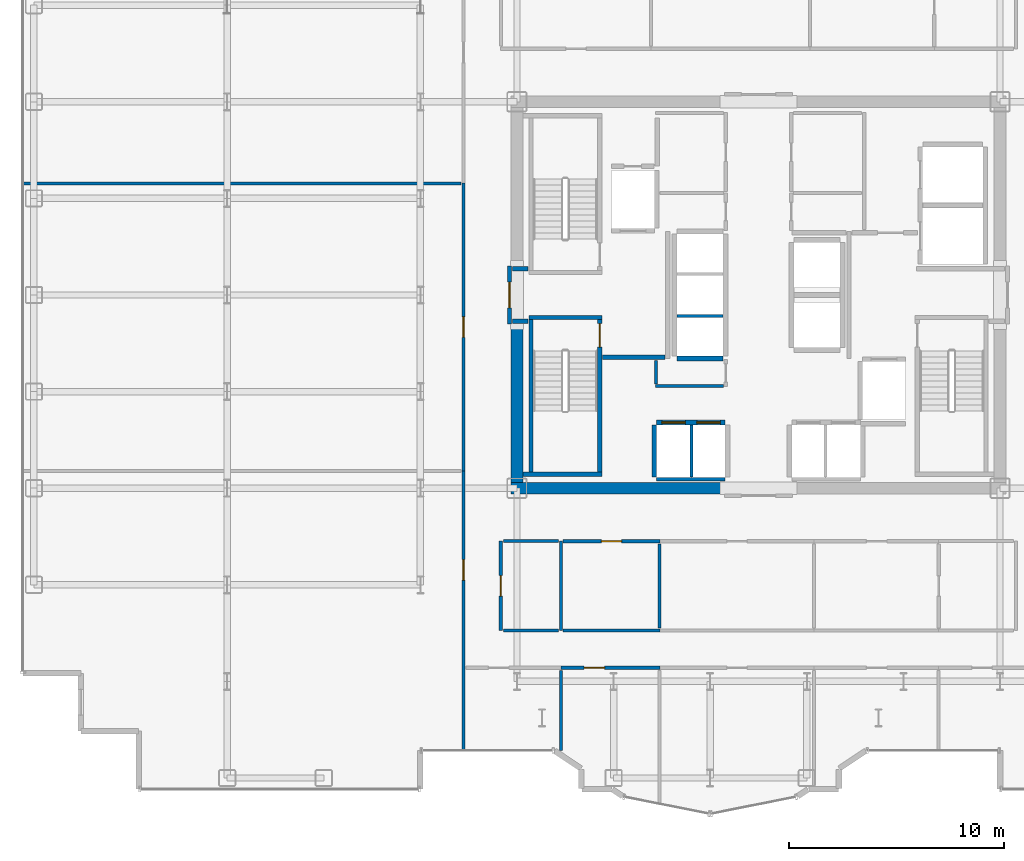
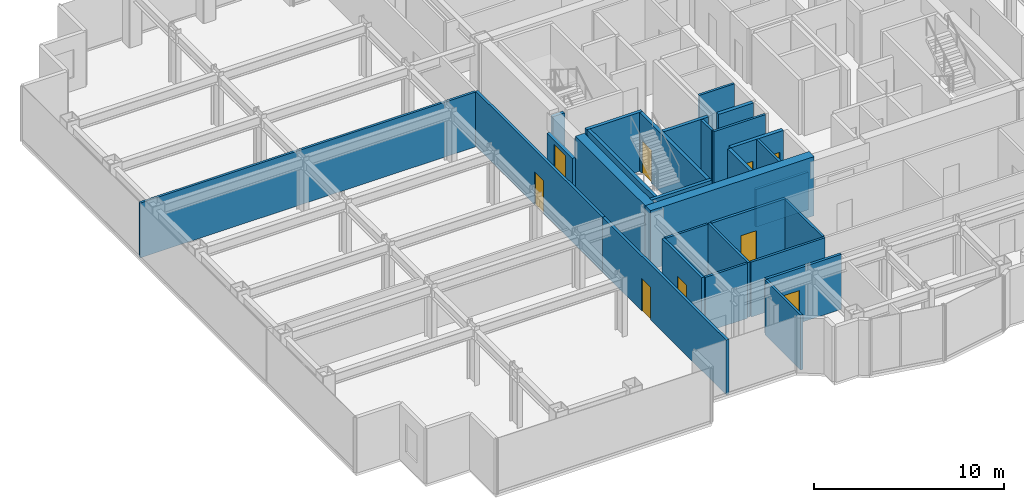
# One storey, part 17 of 23: 30 walls, 9 doors, 9 openings.
"""IFC4 building model written with IfcOpenShell, lengths in metres."""

import ifcopenshell
import ifcopenshell.guid

model = None  # the IFC model being written
_history = None  # IfcOwnerHistory: only IFC2X3 demands one
_inside = {}  # id of a spatial element -> (the spatial element, [elements in it])
_under = {}  # id of a project, library or spatial element -> (it, [spatial elements below it])
_declared = {}  # id of a project -> (the project, [libraries it declares])
_typed = {}  # id of a type object -> (the type object, [elements of that type])
_made_of = {}  # id of a material, layer set ... -> (it, [elements and type objects made of it])


def new_model(schema):
    """Start an empty IFC model of exactly this schema.

    Asked for "IFC4X3", IfcOpenShell would pick the latest addendum, in which some entities
    have other attributes; the version numbers below select the first issue.
    IFC2X3 requires an IfcOwnerHistory on every rooted entity: one is made here for all.
    """
    global model, _history
    if schema == "IFC4X3":
        model = ifcopenshell.file(schema_version=(4, 3, 0, 0))
    else:
        model = ifcopenshell.file(schema=schema)
    _inside.clear()
    _under.clear()
    _declared.clear()
    _typed.clear()
    _made_of.clear()
    _history = None
    if model.schema == "IFC2X3":
        org = make("IfcOrganization", Name="unknown")
        user = make(
            "IfcPersonAndOrganization",
            ThePerson=make("IfcPerson", FamilyName="unknown"),
            TheOrganization=org,
        )
        app = make(
            "IfcApplication",
            ApplicationDeveloper=org,
            Version="unknown",
            ApplicationFullName="unknown",
            ApplicationIdentifier="unknown",
        )
        _history = make(
            "IfcOwnerHistory",
            OwningUser=user,
            OwningApplication=app,
            ChangeAction="ADDED",
            CreationDate=0,
        )
    return model


def make(cls, **values):
    """One entity of the class cls with the attributes given. An attribute that is None is left unset."""
    return model.create_entity(
        cls, **{name: value for name, value in values.items() if value is not None}
    )


def rooted(cls, **values):
    """An entity with a GlobalId (a new one), such as an element, a storey or a relation."""
    return make(cls, GlobalId=ifcopenshell.guid.new(), OwnerHistory=_history, **values)


def si_unit(unit_type, name, prefix=None):
    """IfcSIUnit, for example si_unit("LENGTHUNIT", "METRE", prefix="MILLI")."""
    return make("IfcSIUnit", UnitType=unit_type, Prefix=prefix, Name=name)


def assignment(units):
    """IfcUnitAssignment: the units of a project."""
    return None if units is None else make("IfcUnitAssignment", Units=units)


def point(xyz):
    """IfcCartesianPoint."""
    return None if xyz is None else make("IfcCartesianPoint", Coordinates=xyz)


def direction(xyz):
    """IfcDirection."""
    return None if xyz is None else make("IfcDirection", DirectionRatios=xyz)


def frame(location, z_axis=None, x_axis=None):
    """IfcAxis2Placement3D, a coordinate frame: its origin and axes. An axis left out is left unset."""
    return make(
        "IfcAxis2Placement3D",
        Location=point(location),
        Axis=direction(z_axis),
        RefDirection=direction(x_axis),
    )


def frame_2d(location, x_axis=None):
    """IfcAxis2Placement2D, a coordinate frame in the plane: its origin and x axis."""
    return make(
        "IfcAxis2Placement2D", Location=point(location), RefDirection=direction(x_axis)
    )


def origin():
    """The frame at (0, 0, 0) with its axes left unset."""
    return frame((0.0, 0.0, 0.0))


def place(relative_to, where):
    """IfcLocalPlacement: puts the frame where relative to a parent placement (None: the world)."""
    return make(
        "IfcLocalPlacement", PlacementRelTo=relative_to, RelativePlacement=where
    )


def context(
    kind, dimensions, precision=None, world=None, true_north=None, identifier=None
):
    """IfcGeometricRepresentationContext, for example the 3D "Model" context."""
    return make(
        "IfcGeometricRepresentationContext",
        ContextIdentifier=identifier,
        ContextType=kind,
        CoordinateSpaceDimension=dimensions,
        Precision=precision,
        WorldCoordinateSystem=world,
        TrueNorth=true_north,
    )


def subcontext(parent, identifier, kind, view, scale=None):
    """IfcGeometricRepresentationSubContext, for example "Body" below "Model"."""
    return make(
        "IfcGeometricRepresentationSubContext",
        ContextIdentifier=identifier,
        ContextType=kind,
        ParentContext=parent,
        TargetScale=scale,
        TargetView=view,
    )


def project(units=None, contexts=None):
    """IfcProject with its units and contexts."""
    return rooted(
        "IfcProject",
        Name="project",
        RepresentationContexts=contexts,
        UnitsInContext=assignment(units),
    )


def spatial(cls, under=None, at=None, **own):
    """A site, building, storey or space (cls), placed at a placement, below another one or the project."""
    s = rooted(cls, ObjectPlacement=at, **own)
    if under is not None:
        _under.setdefault(under.id(), (under, []))[1].append(s)
    return s


def profile(cls, at=None, kind="AREA", **sizes):
    """A parametric profile (cls). Its sizes go by their IFC names, for example OverallWidth=200.0."""
    return make(cls, ProfileType=kind, Position=at, **sizes)


def rectangle(**sizes):
    """IfcRectangleProfileDef."""
    return profile("IfcRectangleProfileDef", **sizes)


def extrude(swept, where, along, depth):
    """IfcExtrudedAreaSolid: the profile swept, set in the frame where, extruded along a direction by depth."""
    return make(
        "IfcExtrudedAreaSolid",
        SweptArea=swept,
        Position=where,
        ExtrudedDirection=direction(along),
        Depth=depth,
    )


def shape(context_of_items, identifier, shape_type, items):
    """IfcShapeRepresentation: the items that make up one representation, for example the "Body"."""
    return make(
        "IfcShapeRepresentation",
        ContextOfItems=context_of_items,
        RepresentationIdentifier=identifier,
        RepresentationType=shape_type,
        Items=items,
    )


def source(mapping_origin, context_of_items, identifier, shape_type, items):
    """IfcRepresentationMap: a shape defined once, which mapped items show again and again."""
    return make(
        "IfcRepresentationMap",
        MappingOrigin=mapping_origin,
        MappedRepresentation=shape(context_of_items, identifier, shape_type, items),
    )


def transform(
    local_origin,
    x_axis=None,
    y_axis=None,
    z_axis=None,
    scale=None,
    scale2=None,
    scale3=None,
    uniform=True,
):
    """IfcCartesianTransformationOperator3D, or its non-uniform kind. x_axis, y_axis, z_axis: its Axis1, 2, 3."""
    if uniform:
        return make(
            "IfcCartesianTransformationOperator3D",
            Axis1=direction(x_axis),
            Axis2=direction(y_axis),
            LocalOrigin=point(local_origin),
            Scale=scale,
            Axis3=direction(z_axis),
        )
    return make(
        "IfcCartesianTransformationOperator3DnonUniform",
        Axis1=direction(x_axis),
        Axis2=direction(y_axis),
        LocalOrigin=point(local_origin),
        Scale=scale,
        Axis3=direction(z_axis),
        Scale2=scale2,
        Scale3=scale3,
    )


def mapped(mapping_source, mapping_target):
    """IfcMappedItem: shows the shape of a source again, moved by a transform."""
    return make(
        "IfcMappedItem", MappingSource=mapping_source, MappingTarget=mapping_target
    )


def material(Name=None, Category=None):
    """IfcMaterial."""
    return make("IfcMaterial", Name=Name, Category=Category)


def layer(
    of_material, thickness, ventilated=None, Name=None, Category=None, Priority=None
):
    """IfcMaterialLayer: one layer of a wall or slab, of a material (None: an air gap)."""
    return make(
        "IfcMaterialLayer",
        Material=of_material,
        LayerThickness=thickness,
        IsVentilated=ventilated,
        Name=Name,
        Category=Category,
        Priority=Priority,
    )


def layer_set(layers, Name=None):
    """IfcMaterialLayerSet."""
    return make("IfcMaterialLayerSet", MaterialLayers=layers, LayerSetName=Name)


def made_of(thing, what):
    """Note that an element or type object is made of a material, layer set ...; save() writes the relation."""
    if what is not None:
        _made_of.setdefault(what.id(), (what, []))[1].append(thing)
    return thing


def type_object(cls, material=None, **own):
    """A type object (cls), such as IfcWallType, which elements share."""
    return made_of(rooted(cls, **own), material)


def element(
    cls,
    number,
    at=None,
    inside=None,
    cuts=None,
    type_object=None,
    material=None,
    context=None,
    identifier="Body",
    shape_type=None,
    held_by="IfcProductDefinitionShape",
    body=None,
    shapes=None,
    **own,
):
    """One element of the class cls, such as IfcWall. Its Tag is "e" and its number.

    at: its placement. inside: the storey or other place that contains it. cuts: it is an
    opening in that element (IfcRelVoidsElement). A single representation is given by context,
    identifier, shape_type and body (its items); several are given by shapes. held_by: the class
    of the entity that holds the representations. save() writes the other relations.
    """
    e = rooted(cls, Tag="e%d" % number, ObjectPlacement=at, **own)
    if body is not None:
        shapes = [shape(context, identifier, shape_type, body)]
    if shapes is not None:
        e.Representation = make(held_by, Representations=shapes)
    if inside is not None:
        _inside.setdefault(inside.id(), (inside, []))[1].append(e)
    if cuts is not None:
        rooted(
            "IfcRelVoidsElement", RelatingBuildingElement=cuts, RelatedOpeningElement=e
        )
    if type_object is not None:
        _typed.setdefault(type_object.id(), (type_object, []))[1].append(e)
    return made_of(e, material)


def fill(opening, filler):
    """IfcRelFillsElement: the door or window that sits in an opening."""
    return rooted(
        "IfcRelFillsElement",
        RelatingOpeningElement=opening,
        RelatedBuildingElement=filler,
    )


def aggregate(whole, parts):
    """IfcRelAggregates: a whole, such as a stair, and the parts it consists of."""
    return rooted("IfcRelAggregates", RelatingObject=whole, RelatedObjects=parts)


def save(model, path):
    """Write the relations noted so far, then the file.

    IfcRelAggregates (storeys below a building ...), IfcRelContainedInSpatialStructure (elements
    in a storey), IfcRelDefinesByType, IfcRelAssociatesMaterial and IfcRelDeclares: one each for
    every whole, place, type object, material and project.
    """
    for whole, parts in _under.values():
        aggregate(whole, parts)
    for where, things in _inside.values():
        rooted(
            "IfcRelContainedInSpatialStructure",
            RelatedElements=things,
            RelatingStructure=where,
        )
    for kind, things in _typed.values():
        rooted("IfcRelDefinesByType", RelatedObjects=things, RelatingType=kind)
    for what, things in _made_of.values():
        rooted("IfcRelAssociatesMaterial", RelatedObjects=things, RelatingMaterial=what)
    for by, libraries in _declared.values():
        rooted("IfcRelDeclares", RelatingContext=by, RelatedDefinitions=libraries)
    model.write(path)


model = new_model("IFC4")

# Units and contexts
model_context = context("Model", 3, precision=1e-05, world=origin(), true_north=direction((0.0, 1.0)))
body_context = subcontext(model_context, "Body", "Model", "MODEL_VIEW")
ifc_project = project(units=[si_unit("LENGTHUNIT", "METRE"), si_unit("AREAUNIT", "SQUARE_METRE"), si_unit("VOLUMEUNIT", "CUBIC_METRE"), si_unit("PLANEANGLEUNIT", "RADIAN"), si_unit("MASSUNIT", "GRAM", prefix="KILO")], contexts=[model_context])

# Site, building, storey
site_placement = place(None, origin())
site = spatial("IfcSite", under=ifc_project, at=site_placement, CompositionType="ELEMENT")
building_placement = place(site_placement, origin())
building = spatial("IfcBuilding", under=site, at=building_placement, Name="Nefas-Gora Pilgrimage Tower", CompositionType="ELEMENT")
storey_placement = place(building_placement, frame((0.0, 0.0, 152.60009765625)))
storey = spatial("IfcBuildingStorey", under=building, at=storey_placement, Name="L37", CompositionType="ELEMENT", Elevation=152.60009765625)

# Walls
ifc_material_1 = material(Name="Concrete C60/75", Category="concrete")
ifc_layer_1 = layer(ifc_material_1, 0.550048828125)
ifc_layer_set_1 = layer_set([ifc_layer_1], Name="Concrete C60/75")
wall_type_1 = type_object("IfcWallType", Name="SW-CORE-550", PredefinedType="SHEAR", material=ifc_layer_set_1)
shared_shape_1 = source(origin(), body_context, "Body", "SweptSolid", [
    extrude(rectangle(XDim=9.974853515625, YDim=0.550048828125, at=frame_2d((4.9873046875, 0.0))), origin(), (0.0, 0.0, 1.0), 3.7998046875),
])
wall_1_placement = place(storey_placement, frame((-11.52490234375, -9.0, 0.0), z_axis=(0.0, 0.0, 1.0), x_axis=(1.0, 0.0, 0.0)))
element("IfcWall", 1, at=wall_1_placement, inside=storey, type_object=wall_type_1, Name="L37 Core Shear Wall S-West", PredefinedType="SHEAR", context=body_context, shape_type="MappedRepresentation", body=[
    mapped(shared_shape_1, transform((0.0, 0.0, 0.0), x_axis=(1.0, 0.0, 0.0), y_axis=(0.0, 1.0, 0.0), z_axis=(0.0, 0.0, 1.0), scale=1.0)),
])
shared_shape_2 = source(origin(), body_context, "Body", "SweptSolid", [
    extrude(rectangle(XDim=7.375, YDim=0.550048828125, at=frame_2d((3.6875, 0.0))), origin(), (0.0, 0.0, 1.0), 3.7998046875),
])
wall_2_placement = place(storey_placement, frame((-11.25, -8.72509765625, 0.0), z_axis=(0.0, 0.0, 1.0), x_axis=(0.0, 1.0, 0.0)))
element("IfcWall", 2, at=wall_2_placement, inside=storey, type_object=wall_type_1, Name="L37 Core Shear Wall W-South", PredefinedType="SHEAR", context=body_context, shape_type="MappedRepresentation", body=[
    mapped(shared_shape_2, transform((0.0, 0.0, 0.0), x_axis=(1.0, 0.0, 0.0), y_axis=(0.0, 1.0, 0.0), z_axis=(0.0, 0.0, 1.0), scale=1.0)),
])
ifc_material_2 = material(Name="Concrete C45/55", Category="concrete")
ifc_layer_2 = layer(ifc_material_2, 0.199951171875)
ifc_layer_set_2 = layer_set([ifc_layer_2], Name="Concrete C45/55")
wall_type_2 = type_object("IfcWallType", Name="IW-STAIR-200", PredefinedType="SOLIDWALL", material=ifc_layer_set_2)
shared_shape_3 = source(origin(), body_context, "Body", "SweptSolid", [
    extrude(rectangle(XDim=3.39990234375, YDim=0.199951171875, at=frame_2d((1.699951171875, 0.0))), origin(), (0.0, 0.0, 1.0), 3.7998046875),
])
wall_3_placement = place(storey_placement, frame((-10.699951171875, -1.050048828125, 0.0), z_axis=(0.0, 0.0, 1.0), x_axis=(1.0, 0.0, 0.0)))
element("IfcWall", 3, at=wall_3_placement, inside=storey, type_object=wall_type_2, Name="L37 Stairwell Shear Wall ST-03-near", PredefinedType="SOLIDWALL", context=body_context, shape_type="MappedRepresentation", body=[
    mapped(shared_shape_3, transform((0.0, 0.0, 0.0), x_axis=(1.0, 0.0, 0.0), y_axis=(0.0, 1.0, 0.0), z_axis=(0.0, 0.0, 1.0), scale=1.0)),
])
shared_shape_4 = source(origin(), body_context, "Body", "SweptSolid", [
    extrude(rectangle(XDim=7.10009765625, YDim=0.199951171875, at=frame_2d((3.550048828125, 0.0))), origin(), (0.0, 0.0, 1.0), 3.7998046875),
])
wall_4_placement = place(storey_placement, frame((-10.60009765625, -1.14990234375, 0.0), z_axis=(0.0, 0.0, 1.0), x_axis=(0.0, -1.0, 0.0)))
element("IfcWall", 4, at=wall_4_placement, inside=storey, type_object=wall_type_2, Name="L37 Stairwell Shear Wall ST-03-left", PredefinedType="SOLIDWALL", context=body_context, shape_type="MappedRepresentation", body=[
    mapped(shared_shape_4, transform((0.0, 0.0, 0.0), x_axis=(1.0, 0.0, 0.0), y_axis=(0.0, 1.0, 0.0), z_axis=(0.0, 0.0, 1.0), scale=1.0)),
])

# Wall, opening, door
wall_5_placement = place(storey_placement, frame((-7.39990234375, -1.14990234375, 0.0), z_axis=(0.0, 0.0, 1.0), x_axis=(0.0, -1.0, 0.0)))
wall_5 = element("IfcWall", 5, at=wall_5_placement, inside=storey, type_object=wall_type_2, Name="L37 Stairwell Shear Wall ST-03-right", PredefinedType="SOLIDWALL", context=body_context, shape_type="MappedRepresentation", body=[
    mapped(shared_shape_4, transform((0.0, 0.0, 0.0), x_axis=(1.0, 0.0, 0.0), y_axis=(0.0, 1.0, 0.0), z_axis=(0.0, 0.0, 1.0), scale=1.0)),
])
opening_1_placement = place(wall_5_placement, frame((0.179931640625, 0.0, 0.0)))
opening_1 = element("IfcOpeningElement", 6, at=opening_1_placement, cuts=wall_5, Name="Opening ID-ST1", PredefinedType="OPENING", context=body_context, shape_type="SweptSolid", body=[
    extrude(rectangle(XDim=1.10009765625, YDim=2.14990234375, at=frame_2d((0.550048828125, 1.074951171875))), frame((0.0, 0.10986328125, 0.0), z_axis=(0.0, -1.0, 0.0), x_axis=(1.0, 0.0, 0.0)), (0.0, 0.0, 1.0), 0.219970703125),
])
ifc_material_3 = material(Name="Painted galvanised steel fire stair door", Category="steel")
door_type_1 = type_object("IfcDoorType", Name="DR-INT-STAIR-1100", OperationType="NOTDEFINED", PredefinedType="DOOR", material=ifc_material_3)
shared_shape_5 = source(origin(), body_context, "Body", "SweptSolid", [
    extrude(rectangle(XDim=1.10009765625, YDim=2.14990234375, at=frame_2d((0.550048828125, 1.074951171875))), frame((0.0, 0.02490234375, 0.0), z_axis=(0.0, -1.0, 0.0), x_axis=(1.0, 0.0, 0.0)), (0.0, 0.0, 1.0), 0.050048828125),
])
door_1_placement = place(opening_1_placement, origin())
door_1 = element("IfcDoor", 7, at=door_1_placement, inside=storey, type_object=door_type_1, Name="L37 Protected Exit Stair Door ST-03", OperationType="SINGLE_SWING_LEFT", OverallHeight=2.14990234375, OverallWidth=1.10009765625, PredefinedType="DOOR", context=body_context, shape_type="MappedRepresentation", body=[
    mapped(shared_shape_5, transform((0.0, 0.0, 0.0), x_axis=(1.0, 0.0, 0.0), y_axis=(0.0, 1.0, 0.0), z_axis=(0.0, 0.0, 1.0), scale=1.0)),
])
fill(opening_1, door_1)

# Wall
shared_shape_6 = source(origin(), body_context, "Body", "SweptSolid", [
    extrude(rectangle(XDim=3.679931640625, YDim=0.199951171875, at=frame_2d((1.83984375, 0.0))), origin(), (0.0, 0.0, 1.0), 3.7998046875),
])
wall_6_placement = place(storey_placement, frame((-10.97998046875, -8.35009765625, 0.0), z_axis=(0.0, 0.0, 1.0), x_axis=(1.0, 0.0, 0.0)))
element("IfcWall", 8, at=wall_6_placement, inside=storey, type_object=wall_type_2, Name="L37 Stairwell Shear Wall ST-03-far", PredefinedType="SOLIDWALL", context=body_context, shape_type="MappedRepresentation", body=[
    mapped(shared_shape_6, transform((0.0, 0.0, 0.0), x_axis=(1.0, 0.0, 0.0), y_axis=(0.0, 1.0, 0.0), z_axis=(0.0, 0.0, 1.0), scale=1.0)),
])

# Wall, openings, doors
ifc_material_4 = material(Name="Concrete C40/50", Category="concrete")
ifc_layer_3 = layer(ifc_material_4, 0.219970703125)
ifc_layer_set_3 = layer_set([ifc_layer_3], Name="Concrete C40/50")
wall_type_3 = type_object("IfcWallType", Name="IW-SHAFT-220", PredefinedType="SOLIDWALL", material=ifc_layer_set_3)
shared_shape_7 = source(origin(), body_context, "Body", "SweptSolid", [
    extrude(rectangle(XDim=3.199951171875, YDim=0.219970703125, at=frame_2d((1.60009765625, 0.0))), origin(), (0.0, 0.0, 1.0), 3.534912109375),
])
wall_7_placement = place(storey_placement, frame((-1.550048828125, -5.93994140625, 0.0), z_axis=(0.0, 0.0, 1.0), x_axis=(-1.0, 0.0, 0.0)))
wall_7 = element("IfcWall", 9, at=wall_7_placement, inside=storey, type_object=wall_type_3, Name="L37 Hoistway Wall PL2-W-N", PredefinedType="SOLIDWALL", context=body_context, shape_type="MappedRepresentation", body=[
    mapped(shared_shape_7, transform((0.0, 0.0, 0.0), x_axis=(1.0, 0.0, 0.0), y_axis=(0.0, 1.0, 0.0), z_axis=(0.0, 0.0, 1.0), scale=1.0)),
])
opening_2_placement = place(wall_7_placement, frame((1.85009765625, 0.0, 0.0)))
opening_2 = element("IfcOpeningElement", 10, at=opening_2_placement, cuts=wall_7, Name="Opening LD-01", PredefinedType="OPENING", context=body_context, shape_type="SweptSolid", body=[
    extrude(rectangle(XDim=1.10009765625, YDim=2.199951171875, at=frame_2d((0.550048828125, 1.10009765625))), frame((0.0, 0.119873046875, 0.0), z_axis=(0.0, -1.0, 0.0), x_axis=(1.0, 0.0, 0.0)), (0.0, 0.0, 1.0), 0.239990234375),
])
opening_3_placement = place(wall_7_placement, frame((0.22509765625, 0.0, 0.0)))
opening_3 = element("IfcOpeningElement", 11, at=opening_3_placement, cuts=wall_7, Name="Opening LD-01", PredefinedType="OPENING", context=body_context, shape_type="SweptSolid", body=[
    extrude(rectangle(XDim=1.10009765625, YDim=2.199951171875, at=frame_2d((0.550048828125, 1.10009765625))), frame((0.0, 0.119873046875, 0.0), z_axis=(0.0, -1.0, 0.0), x_axis=(1.0, 0.0, 0.0)), (0.0, 0.0, 1.0), 0.239990234375),
])
ifc_material_5 = material(Name="Brushed stainless sliding lift landing door")
door_type_2 = type_object("IfcDoorType", Name="DR-LIFT-PASS-1100", OperationType="DOUBLE_DOOR_SLIDING", PredefinedType="DOOR", material=ifc_material_5)
shared_shape_8 = source(origin(), body_context, "Body", "SweptSolid", [
    extrude(rectangle(XDim=1.10009765625, YDim=2.199951171875, at=frame_2d((0.550048828125, 1.10009765625))), frame((0.0, 0.02490234375, 0.0), z_axis=(0.0, -1.0, 0.0), x_axis=(1.0, 0.0, 0.0)), (0.0, 0.0, 1.0), 0.050048828125),
])
door_2_placement = place(opening_2_placement, origin())
door_2 = element("IfcDoor", 12, at=door_2_placement, inside=storey, type_object=door_type_2, Name="L37 Sliding Lift Landing Door PL2-01", OperationType="DOUBLE_DOOR_SLIDING", OverallHeight=2.199951171875, OverallWidth=1.10009765625, PredefinedType="DOOR", context=body_context, shape_type="MappedRepresentation", body=[
    mapped(shared_shape_8, transform((0.0, 0.0, 0.0), x_axis=(1.0, 0.0, 0.0), y_axis=(0.0, 1.0, 0.0), z_axis=(0.0, 0.0, 1.0), scale=1.0)),
])
fill(opening_2, door_2)
door_3_placement = place(opening_3_placement, origin())
door_3 = element("IfcDoor", 13, at=door_3_placement, inside=storey, type_object=door_type_2, Name="L37 Sliding Lift Landing Door PL2-02", OperationType="DOUBLE_DOOR_SLIDING", OverallHeight=2.199951171875, OverallWidth=1.10009765625, PredefinedType="DOOR", context=body_context, shape_type="MappedRepresentation", body=[
    mapped(shared_shape_8, transform((0.0, 0.0, 0.0), x_axis=(1.0, 0.0, 0.0), y_axis=(0.0, 1.0, 0.0), z_axis=(0.0, 0.0, 1.0), scale=1.0)),
])
fill(opening_3, door_3)

# Walls
shared_shape_9 = source(origin(), body_context, "Body", "SweptSolid", [
    extrude(rectangle(XDim=2.429931640625, YDim=0.219970703125, at=frame_2d((1.21484375, 0.0))), origin(), (0.0, 0.0, 1.0), 3.534912109375),
])
wall_8_placement = place(storey_placement, frame((-4.860107421875, -6.06005859375, 0.0), z_axis=(0.0, 0.0, 1.0), x_axis=(0.0, -1.0, 0.0)))
element("IfcWall", 14, at=wall_8_placement, inside=storey, type_object=wall_type_3, Name="L37 Hoistway Wall PL2-W-W", PredefinedType="SOLIDWALL", context=body_context, shape_type="MappedRepresentation", body=[
    mapped(shared_shape_9, transform((0.0, 0.0, 0.0), x_axis=(1.0, 0.0, 0.0), y_axis=(0.0, 1.0, 0.0), z_axis=(0.0, 0.0, 1.0), scale=1.0)),
])
ifc_material_6 = material(Name="Gypsum twin-stud partition")
ifc_layer_4 = layer(ifc_material_6, 0.139892578125)
ifc_layer_set_4 = layer_set([ifc_layer_4], Name="Gypsum twin-stud partition")
wall_type_4 = type_object("IfcWallType", Name="IW-UNIT-140", PredefinedType="PARTITIONING", material=ifc_layer_set_4)
shared_shape_10 = source(origin(), body_context, "Body", "SweptSolid", [
    extrude(rectangle(XDim=2.429931640625, YDim=0.139892578125, at=frame_2d((1.21484375, 0.0))), origin(), (0.0, 0.0, 1.0), 3.534912109375),
])
wall_9_placement = place(storey_placement, frame((-3.125, -8.489990234375, 0.0), z_axis=(0.0, 0.0, 1.0), x_axis=(0.0, 1.0, 0.0)))
element("IfcWall", 15, at=wall_9_placement, inside=storey, type_object=wall_type_4, Name="L37 Hoistway Wall PL2-W-DIV", PredefinedType="PARTITIONING", context=body_context, shape_type="MappedRepresentation", body=[
    mapped(shared_shape_10, transform((0.0, 0.0, 0.0), x_axis=(1.0, 0.0, 0.0), y_axis=(0.0, 1.0, 0.0), z_axis=(0.0, 0.0, 1.0), scale=1.0)),
])
shared_shape_11 = source(origin(), body_context, "Body", "SweptSolid", [
    extrude(rectangle(XDim=2.130126953125, YDim=0.219970703125, at=frame_2d((1.06494140625, 0.0))), origin(), (0.0, 0.0, 1.0), 3.534912109375),
])
wall_10_placement = place(storey_placement, frame((-3.7900390625, -2.9599609375, 0.0), z_axis=(0.0, 0.0, 1.0), x_axis=(1.0, 0.0, 0.0)))
element("IfcWall", 16, at=wall_10_placement, inside=storey, type_object=wall_type_3, Name="L37 Hoistway Wall PL3-01-S", PredefinedType="SOLIDWALL", context=body_context, shape_type="MappedRepresentation", body=[
    mapped(shared_shape_11, transform((0.0, 0.0, 0.0), x_axis=(1.0, 0.0, 0.0), y_axis=(0.0, 1.0, 0.0), z_axis=(0.0, 0.0, 1.0), scale=1.0)),
])
shared_shape_12 = source(origin(), body_context, "Body", "SweptSolid", [
    extrude(rectangle(XDim=2.130126953125, YDim=0.139892578125, at=frame_2d((1.06494140625, 0.0))), origin(), (0.0, 0.0, 1.0), 3.534912109375),
])
wall_11_placement = place(storey_placement, frame((-3.7900390625, -0.97509765625, 0.0), z_axis=(0.0, 0.0, 1.0), x_axis=(1.0, 0.0, 0.0)))
element("IfcWall", 17, at=wall_11_placement, inside=storey, type_object=wall_type_4, Name="L37 Hoistway Wall PL3-01-02-DIV", PredefinedType="PARTITIONING", context=body_context, shape_type="MappedRepresentation", body=[
    mapped(shared_shape_12, transform((0.0, 0.0, 0.0), x_axis=(1.0, 0.0, 0.0), y_axis=(0.0, 1.0, 0.0), z_axis=(0.0, 0.0, 1.0), scale=1.0)),
])
ifc_material_7 = material(Name="Gypsum acoustic stud partition")
ifc_layer_5 = layer(ifc_material_7, 0.159912109375)
ifc_layer_set_5 = layer_set([ifc_layer_5], Name="Gypsum acoustic stud partition")
wall_type_5 = type_object("IfcWallType", Name="IW-CORR-160", PredefinedType="PARTITIONING", material=ifc_layer_set_5)
shared_shape_13 = source(origin(), body_context, "Body", "SweptSolid", [
    extrude(rectangle(XDim=3.199951171875, YDim=0.159912109375, at=frame_2d((1.60009765625, 0.0))), origin(), (0.0, 0.0, 1.0), 2.4248046875),
])
wall_12_placement = place(storey_placement, frame((-4.75, -8.580078125, 0.0), z_axis=(0.0, 0.0, 1.0), x_axis=(1.0, 0.0, 0.0)))
element("IfcWall", 18, at=wall_12_placement, inside=storey, type_object=wall_type_5, Name="L37 Hoistway Wall PL2-W-S", PredefinedType="PARTITIONING", context=body_context, shape_type="MappedRepresentation", body=[
    mapped(shared_shape_13, transform((0.0, 0.0, 0.0), x_axis=(1.0, 0.0, 0.0), y_axis=(0.0, 1.0, 0.0), z_axis=(0.0, 0.0, 1.0), scale=1.0)),
])
ifc_material_8 = material(Name="Gypsum fire-rated shaftwall")
ifc_layer_6 = layer(ifc_material_8, 0.199951171875)
ifc_layer_set_6 = layer_set([ifc_layer_6], Name="Gypsum fire-rated shaftwall")
wall_type_6 = type_object("IfcWallType", Name="IW-FFLOB-200", PredefinedType="PARTITIONING", material=ifc_layer_set_6)
shared_shape_14 = source(origin(), body_context, "Body", "SweptSolid", [
    extrude(rectangle(XDim=2.89990234375, YDim=0.199951171875, at=frame_2d((1.449951171875, 0.0))), origin(), (0.0, 0.0, 1.0), 3.534912109375),
])
wall_13_placement = place(storey_placement, frame((-7.260009765625, -2.89990234375, 0.0), z_axis=(0.0, 0.0, 1.0), x_axis=(1.0, 0.0, 0.0)))
element("IfcWall", 19, at=wall_13_placement, inside=storey, type_object=wall_type_6, Name="L37 FF Lobby West South Wall Wall 6", PredefinedType="PARTITIONING", context=body_context, shape_type="MappedRepresentation", body=[
    mapped(shared_shape_14, transform((0.0, 0.0, 0.0), x_axis=(1.0, 0.0, 0.0), y_axis=(0.0, 1.0, 0.0), z_axis=(0.0, 0.0, 1.0), scale=1.0)),
])
shared_shape_15 = source(origin(), body_context, "Body", "SweptSolid", [
    extrude(rectangle(XDim=0.719970703125, YDim=0.199951171875, at=frame_2d((0.35986328125, 0.0))), origin(), (0.0, 0.0, 1.0), 3.534912109375),
])
for number, where, z_axis, x_axis, name in (
    (20, (-11.4599609375, 1.219970703125, 0.0), (0.0, 0.0, 1.0), (1.0, 0.0, 0.0), "L37 FF Lobby West Throat N Wall 7"),
    (21, (-11.4599609375, -1.219970703125, 0.0), (0.0, 0.0, 1.0), (1.0, 0.0, 0.0), "L37 FF Lobby West Throat S Wall 8"),
):
    element("IfcWall", number, at=place(storey_placement, frame(where, z_axis=z_axis, x_axis=x_axis)), inside=storey, type_object=wall_type_6, Name=name, PredefinedType="PARTITIONING", context=body_context, shape_type="MappedRepresentation", body=[
        mapped(shared_shape_15, transform((0.0, 0.0, 0.0), x_axis=(1.0, 0.0, 0.0), y_axis=(0.0, 1.0, 0.0), z_axis=(0.0, 0.0, 1.0), scale=1.0)),
    ])

# Wall, opening, door
shared_shape_16 = source(origin(), body_context, "Body", "SweptSolid", [
    extrude(rectangle(XDim=13.044921875, YDim=0.159912109375, at=frame_2d((6.5224609375, 0.0))), origin(), (0.0, 0.0, 1.0), 3.534912109375),
])
wall_14_placement = place(storey_placement, frame((-13.739990234375, -21.239990234375, 0.0), z_axis=(0.0, 0.0, 1.0), x_axis=(0.0, 1.0, 0.0)))
wall_14 = element("IfcWall", 22, at=wall_14_placement, inside=storey, type_object=wall_type_5, Name="L37 Pilgrim Tea and Beverage Pantry Partition Wall 32", PredefinedType="PARTITIONING", context=body_context, shape_type="MappedRepresentation", body=[
    mapped(shared_shape_16, transform((0.0, 0.0, 0.0), x_axis=(1.0, 0.0, 0.0), y_axis=(0.0, 1.0, 0.0), z_axis=(0.0, 0.0, 1.0), scale=1.0)),
])
opening_4_placement = place(wall_14_placement, frame((7.96240234375, 0.0, 0.0)))
opening_4 = element("IfcOpeningElement", 23, at=opening_4_placement, cuts=wall_14, Name="Opening ID-GR1", PredefinedType="OPENING", context=body_context, shape_type="SweptSolid", body=[
    extrude(rectangle(XDim=0.949951171875, YDim=2.10009765625, at=frame_2d((0.47509765625, 1.050048828125))), frame((0.0, 0.08984375, 0.0), z_axis=(0.0, -1.0, 0.0), x_axis=(1.0, 0.0, 0.0)), (0.0, 0.0, 1.0), 0.179931640625),
])
ifc_material_9 = material(Name="Solid core oak fire-rated guest entrance door")
door_type_3 = type_object("IfcDoorType", Name="DR-INT-GUEST-950", OperationType="NOTDEFINED", PredefinedType="DOOR", material=ifc_material_9)
shared_shape_17 = source(origin(), body_context, "Body", "SweptSolid", [
    extrude(rectangle(XDim=0.949951171875, YDim=2.10009765625, at=frame_2d((0.47509765625, 1.050048828125))), frame((0.0, 0.02490234375, 0.0), z_axis=(0.0, -1.0, 0.0), x_axis=(1.0, 0.0, 0.0)), (0.0, 0.0, 1.0), 0.050048828125),
])
door_4_placement = place(opening_4_placement, origin())
door_4 = element("IfcDoor", 24, at=door_4_placement, inside=storey, type_object=door_type_3, Name="L37 Pilgrim Tea and Beverage Pantry Door 13", OperationType="SINGLE_SWING_RIGHT", OverallHeight=2.10009765625, OverallWidth=0.949951171875, PredefinedType="DOOR", context=body_context, shape_type="MappedRepresentation", body=[
    mapped(shared_shape_17, transform((0.0, 0.0, 0.0), x_axis=(1.0, 0.0, 0.0), y_axis=(0.0, 1.0, 0.0), z_axis=(0.0, 0.0, 1.0), scale=1.0)),
])
fill(opening_4, door_4)

shared_shape_18 = source(origin(), body_context, "Body", "SweptSolid", [
    extrude(rectangle(XDim=4.610107421875, YDim=0.159912109375, at=frame_2d((2.30517578125, 0.0))), origin(), (0.0, 0.0, 1.0), 3.534912109375),
])
wall_15_placement = place(storey_placement, frame((-9.205078125, -17.3701171875, 0.0), z_axis=(0.0, 0.0, 1.0), x_axis=(1.0, 0.0, 0.0)))
wall_15 = element("IfcWall", 25, at=wall_15_placement, inside=storey, type_object=wall_type_5, Name="L37 Pilgrim Contemplative Lounge Partition Wall 77", PredefinedType="PARTITIONING", context=body_context, shape_type="MappedRepresentation", body=[
    mapped(shared_shape_18, transform((0.0, 0.0, 0.0), x_axis=(1.0, 0.0, 0.0), y_axis=(0.0, 1.0, 0.0), z_axis=(0.0, 0.0, 1.0), scale=1.0)),
])
opening_5_placement = place(wall_15_placement, frame((1.0859375, 0.0, 0.0)))
opening_5 = element("IfcOpeningElement", 26, at=opening_5_placement, cuts=wall_15, Name="Opening ID-GR1", PredefinedType="OPENING", context=body_context, shape_type="SweptSolid", body=[
    extrude(rectangle(XDim=0.949951171875, YDim=2.10009765625, at=frame_2d((0.47509765625, 1.050048828125))), frame((0.0, 0.08984375, 0.0), z_axis=(0.0, -1.0, 0.0), x_axis=(1.0, 0.0, 0.0)), (0.0, 0.0, 1.0), 0.179931640625),
])
door_5_placement = place(opening_5_placement, origin())
door_5 = element("IfcDoor", 27, at=door_5_placement, inside=storey, type_object=door_type_3, Name="L37 Pilgrim Contemplative Lounge Door 34", OperationType="SINGLE_SWING_LEFT", OverallHeight=2.10009765625, OverallWidth=0.949951171875, PredefinedType="DOOR", context=body_context, shape_type="MappedRepresentation", body=[
    mapped(shared_shape_17, transform((0.0, 0.0, 0.0), x_axis=(1.0, 0.0, 0.0), y_axis=(0.0, 1.0, 0.0), z_axis=(0.0, 0.0, 1.0), scale=1.0)),
])
fill(opening_5, door_5)

# Wall
shared_shape_19 = source(origin(), body_context, "Body", "SweptSolid", [
    extrude(rectangle(XDim=20.429931640625, YDim=0.139892578125, at=frame_2d((10.21484375, 0.0))), origin(), (0.0, 0.0, 1.0), 3.534912109375),
])
wall_16_placement = place(storey_placement, frame((-34.2900390625, 5.195068359375, 0.0), z_axis=(0.0, 0.0, 1.0), x_axis=(1.0, 0.0, 0.0)))
element("IfcWall", 28, at=wall_16_placement, inside=storey, type_object=wall_type_4, Name="L37 Pilgrim Fellowship Seminar Room Partition Wall 35", PredefinedType="PARTITIONING", context=body_context, shape_type="MappedRepresentation", body=[
    mapped(shared_shape_19, transform((0.0, 0.0, 0.0), x_axis=(1.0, 0.0, 0.0), y_axis=(0.0, 1.0, 0.0), z_axis=(0.0, 0.0, 1.0), scale=1.0)),
])

# Wall, opening, door
shared_shape_20 = source(origin(), body_context, "Body", "SweptSolid", [
    extrude(rectangle(XDim=2.7001953125, YDim=0.199951171875, at=frame_2d((1.35009765625, 0.0))), origin(), (0.0, 0.0, 1.0), 2.4248046875),
])
wall_17_placement = place(storey_placement, frame((-11.60009765625, -1.35009765625, 0.0), z_axis=(0.0, 0.0, 1.0), x_axis=(0.0, 1.0, 0.0)))
wall_17 = element("IfcWall", 29, at=wall_17_placement, inside=storey, type_object=wall_type_6, Name="L37 FF Lobby West Portal Wall 4", PredefinedType="PARTITIONING", context=body_context, shape_type="MappedRepresentation", body=[
    mapped(shared_shape_20, transform((0.0, 0.0, 0.0), x_axis=(1.0, 0.0, 0.0), y_axis=(0.0, 1.0, 0.0), z_axis=(0.0, 0.0, 1.0), scale=1.0)),
])
opening_6_placement = place(wall_17_placement, frame((0.75, 0.0, 0.0)))
opening_6 = element("IfcOpeningElement", 30, at=opening_6_placement, cuts=wall_17, Name="Opening ID-FF1", PredefinedType="OPENING", context=body_context, shape_type="SweptSolid", body=[
    extrude(rectangle(XDim=1.199951171875, YDim=2.14990234375, at=frame_2d((0.60009765625, 1.074951171875))), frame((0.0, 0.10986328125, 0.0), z_axis=(0.0, -1.0, 0.0), x_axis=(1.0, 0.0, 0.0)), (0.0, 0.0, 1.0), 0.219970703125),
])
ifc_material_10 = material(Name="Smoke-sealed steel firefighting lobby door", Category="steel")
door_type_4 = type_object("IfcDoorType", Name="DR-INT-FFLOB-1200", OperationType="NOTDEFINED", PredefinedType="DOOR", material=ifc_material_10)
shared_shape_21 = source(origin(), body_context, "Body", "SweptSolid", [
    extrude(rectangle(XDim=1.199951171875, YDim=2.14990234375, at=frame_2d((0.60009765625, 1.074951171875))), frame((0.0, 0.02490234375, 0.0), z_axis=(0.0, -1.0, 0.0), x_axis=(1.0, 0.0, 0.0)), (0.0, 0.0, 1.0), 0.050048828125),
])
door_6_placement = place(opening_6_placement, origin())
door_6 = element("IfcDoor", 31, at=door_6_placement, inside=storey, type_object=door_type_4, Name="L37 FF Lobby West Portal Door 2", OperationType="SINGLE_SWING_LEFT", OverallHeight=2.14990234375, OverallWidth=1.199951171875, PredefinedType="DOOR", context=body_context, shape_type="MappedRepresentation", body=[
    mapped(shared_shape_21, transform((0.0, 0.0, 0.0), x_axis=(1.0, 0.0, 0.0), y_axis=(0.0, 1.0, 0.0), z_axis=(0.0, 0.0, 1.0), scale=1.0)),
])
fill(opening_6, door_6)

# Walls
shared_shape_22 = source(origin(), body_context, "Body", "SweptSolid", [
    extrude(rectangle(XDim=3.150146484375, YDim=0.139892578125, at=frame_2d((1.5751953125, 0.0))), origin(), (0.0, 0.0, 1.0), 3.534912109375),
])
wall_18_placement = place(storey_placement, frame((-4.7900390625, -4.25, 0.0), z_axis=(0.0, 0.0, 1.0), x_axis=(1.0, 0.0, 0.0)))
element("IfcWall", 32, at=wall_18_placement, inside=storey, type_object=wall_type_4, Name="L37 Guest Self-Service Laundry Room Partition Wall 27", PredefinedType="PARTITIONING", context=body_context, shape_type="MappedRepresentation", body=[
    mapped(shared_shape_22, transform((0.0, 0.0, 0.0), x_axis=(1.0, 0.0, 0.0), y_axis=(0.0, 1.0, 0.0), z_axis=(0.0, 0.0, 1.0), scale=1.0)),
])
shared_shape_23 = source(origin(), body_context, "Body", "SweptSolid", [
    extrude(rectangle(XDim=1.099853515625, YDim=0.139892578125, at=frame_2d((0.5498046875, 0.0))), origin(), (0.0, 0.0, 1.0), 3.534912109375),
])
wall_19_placement = place(storey_placement, frame((-4.780029296875, -4.139892578125, 0.0), z_axis=(0.0, 0.0, 1.0), x_axis=(0.0, 1.0, 0.0)))
element("IfcWall", 33, at=wall_19_placement, inside=storey, type_object=wall_type_4, Name="L37 Guest Self-Service Laundry Room Partition Wall 28", PredefinedType="PARTITIONING", context=body_context, shape_type="MappedRepresentation", body=[
    mapped(shared_shape_23, transform((0.0, 0.0, 0.0), x_axis=(1.0, 0.0, 0.0), y_axis=(0.0, 1.0, 0.0), z_axis=(0.0, 0.0, 1.0), scale=1.0)),
])

# Wall, opening, door
shared_shape_24 = source(origin(), body_context, "Body", "SweptSolid", [
    extrude(rectangle(XDim=13.41015625, YDim=0.159912109375, at=frame_2d((6.705078125, 0.0))), origin(), (0.0, 0.0, 1.0), 3.534912109375),
])
wall_20_placement = place(storey_placement, frame((-13.739990234375, -8.205078125, 0.0), z_axis=(0.0, 0.0, 1.0), x_axis=(0.0, 1.0, 0.0)))
wall_20 = element("IfcWall", 34, at=wall_20_placement, inside=storey, type_object=wall_type_5, Name="L37 Pilgrim Fellowship Seminar Room Partition Wall 34", PredefinedType="PARTITIONING", context=body_context, shape_type="MappedRepresentation", body=[
    mapped(shared_shape_24, transform((0.0, 0.0, 0.0), x_axis=(1.0, 0.0, 0.0), y_axis=(0.0, 1.0, 0.0), z_axis=(0.0, 0.0, 1.0), scale=1.0)),
])
opening_7_placement = place(wall_20_placement, frame((6.22998046875, 0.0, 0.0)))
opening_7 = element("IfcOpeningElement", 35, at=opening_7_placement, cuts=wall_20, Name="Opening ID-GR1", PredefinedType="OPENING", context=body_context, shape_type="SweptSolid", body=[
    extrude(rectangle(XDim=0.949951171875, YDim=2.10009765625, at=frame_2d((0.47509765625, 1.050048828125))), frame((0.0, 0.08984375, 0.0), z_axis=(0.0, -1.0, 0.0), x_axis=(1.0, 0.0, 0.0)), (0.0, 0.0, 1.0), 0.179931640625),
])
door_7_placement = place(opening_7_placement, origin())
door_7 = element("IfcDoor", 36, at=door_7_placement, inside=storey, type_object=door_type_3, Name="L37 Pilgrim Fellowship Seminar Room Door 14", OperationType="SINGLE_SWING_LEFT", OverallHeight=2.10009765625, OverallWidth=0.949951171875, PredefinedType="DOOR", context=body_context, shape_type="MappedRepresentation", body=[
    mapped(shared_shape_17, transform((0.0, 0.0, 0.0), x_axis=(1.0, 0.0, 0.0), y_axis=(0.0, 1.0, 0.0), z_axis=(0.0, 0.0, 1.0), scale=1.0)),
])
fill(opening_7, door_7)

# Walls
shared_shape_25 = source(origin(), body_context, "Body", "SweptSolid", [
    extrude(rectangle(XDim=3.929931640625, YDim=0.139892578125, at=frame_2d((1.96484375, 0.0))), origin(), (0.0, 0.0, 1.0), 3.534912109375),
])
wall_21_placement = place(storey_placement, frame((-4.60498046875, -15.52001953125, 0.0), z_axis=(0.0, 0.0, 1.0), x_axis=(0.0, 1.0, 0.0)))
element("IfcWall", 37, at=wall_21_placement, inside=storey, type_object=wall_type_4, Name="L37 Pilgrim Contemplative Lounge Partition Wall 81", PredefinedType="PARTITIONING", context=body_context, shape_type="MappedRepresentation", body=[
    mapped(shared_shape_25, transform((0.0, 0.0, 0.0), x_axis=(1.0, 0.0, 0.0), y_axis=(0.0, 1.0, 0.0), z_axis=(0.0, 0.0, 1.0), scale=1.0)),
])
shared_shape_26 = source(origin(), body_context, "Body", "SweptSolid", [
    extrude(rectangle(XDim=4.179931640625, YDim=0.139892578125, at=frame_2d((2.08984375, 0.0))), origin(), (0.0, 0.0, 1.0), 3.534912109375),
])
wall_22_placement = place(storey_placement, frame((-9.205078125, -15.639892578125, 0.0), z_axis=(0.0, 0.0, 1.0), x_axis=(0.0, 1.0, 0.0)))
element("IfcWall", 38, at=wall_22_placement, inside=storey, type_object=wall_type_4, Name="L37 Pilgrim Contemplative Lounge Partition Wall 74", PredefinedType="PARTITIONING", context=body_context, shape_type="MappedRepresentation", body=[
    mapped(shared_shape_26, transform((0.0, 0.0, 0.0), x_axis=(1.0, 0.0, 0.0), y_axis=(0.0, 1.0, 0.0), z_axis=(0.0, 0.0, 1.0), scale=1.0)),
])
shared_shape_27 = source(origin(), body_context, "Body", "SweptSolid", [
    extrude(rectangle(XDim=3.737060546875, YDim=0.139892578125, at=frame_2d((1.86865234375, 0.0))), origin(), (0.0, 0.0, 1.0), 3.534912109375),
])
wall_23_placement = place(storey_placement, frame((-9.205078125, -21.22705078125, 0.0), z_axis=(0.0, 0.0, 1.0), x_axis=(0.0, 1.0, 0.0)))
element("IfcWall", 39, at=wall_23_placement, inside=storey, type_object=wall_type_4, Name="L37 Pilgrim Contemplative Lounge Partition Wall 72", PredefinedType="PARTITIONING", context=body_context, shape_type="MappedRepresentation", body=[
    mapped(shared_shape_27, transform((0.0, 0.0, 0.0), x_axis=(1.0, 0.0, 0.0), y_axis=(0.0, 1.0, 0.0), z_axis=(0.0, 0.0, 1.0), scale=1.0)),
])

# Wall, opening, door
shared_shape_28 = source(origin(), body_context, "Body", "SweptSolid", [
    extrude(rectangle(XDim=4.179931640625, YDim=0.159912109375, at=frame_2d((2.08984375, 0.0))), origin(), (0.0, 0.0, 1.0), 3.534912109375),
])
wall_24_placement = place(storey_placement, frame((-12.0, -15.639892578125, 0.0), z_axis=(0.0, 0.0, 1.0), x_axis=(0.0, 1.0, 0.0)))
wall_24 = element("IfcWall", 40, at=wall_24_placement, inside=storey, type_object=wall_type_5, Name="L37 Pilgrim Contemplative Lounge Partition Wall 73", PredefinedType="PARTITIONING", context=body_context, shape_type="MappedRepresentation", body=[
    mapped(shared_shape_28, transform((0.0, 0.0, 0.0), x_axis=(1.0, 0.0, 0.0), y_axis=(0.0, 1.0, 0.0), z_axis=(0.0, 0.0, 1.0), scale=1.0)),
])
opening_8_placement = place(wall_24_placement, frame((1.614990234375, 0.0, 0.0)))
opening_8 = element("IfcOpeningElement", 41, at=opening_8_placement, cuts=wall_24, Name="Opening ID-GR1", PredefinedType="OPENING", context=body_context, shape_type="SweptSolid", body=[
    extrude(rectangle(XDim=0.949951171875, YDim=2.10009765625, at=frame_2d((0.47509765625, 1.050048828125))), frame((0.0, 0.08984375, 0.0), z_axis=(0.0, -1.0, 0.0), x_axis=(1.0, 0.0, 0.0)), (0.0, 0.0, 1.0), 0.179931640625),
])
door_8_placement = place(opening_8_placement, origin())
door_8 = element("IfcDoor", 42, at=door_8_placement, inside=storey, type_object=door_type_3, Name="L37 Pilgrim Contemplative Lounge Door 33", OperationType="SINGLE_SWING_RIGHT", OverallHeight=2.10009765625, OverallWidth=0.949951171875, PredefinedType="DOOR", context=body_context, shape_type="MappedRepresentation", body=[
    mapped(shared_shape_17, transform((0.0, 0.0, 0.0), x_axis=(1.0, 0.0, 0.0), y_axis=(0.0, 1.0, 0.0), z_axis=(0.0, 0.0, 1.0), scale=1.0)),
])
fill(opening_8, door_8)

# Walls
shared_shape_29 = source(origin(), body_context, "Body", "SweptSolid", [
    extrude(rectangle(XDim=2.56494140625, YDim=0.139892578125, at=frame_2d((1.282470703125, 0.0))), origin(), (0.0, 0.0, 1.0), 3.534912109375),
])
for number, where, z_axis, x_axis, name in (
    (43, (-11.8798828125, -11.469970703125, 0.0), (0.0, 0.0, 1.0), (1.0, 0.0, 0.0), "L37 Pilgrim Contemplative Lounge Partition Wall 75"),
    (44, (-11.8798828125, -15.6298828125, 0.0), (0.0, 0.0, 1.0), (1.0, 0.0, 0.0), "L37 Pilgrim Contemplative Lounge Partition Wall 76"),
):
    element("IfcWall", number, at=place(storey_placement, frame(where, z_axis=z_axis, x_axis=x_axis)), inside=storey, type_object=wall_type_4, Name=name, PredefinedType="PARTITIONING", context=body_context, shape_type="MappedRepresentation", body=[
        mapped(shared_shape_29, transform((0.0, 0.0, 0.0), x_axis=(1.0, 0.0, 0.0), y_axis=(0.0, 1.0, 0.0), z_axis=(0.0, 0.0, 1.0), scale=1.0)),
    ])

# Wall, opening, door
shared_shape_30 = source(origin(), body_context, "Body", "SweptSolid", [
    extrude(rectangle(XDim=4.5, YDim=0.159912109375, at=frame_2d((2.25, 0.0))), origin(), (0.0, 0.0, 1.0), 3.534912109375),
])
wall_25_placement = place(storey_placement, frame((-9.094970703125, -11.469970703125, 0.0), z_axis=(0.0, 0.0, 1.0), x_axis=(1.0, 0.0, 0.0)))
wall_25 = element("IfcWall", 45, at=wall_25_placement, inside=storey, type_object=wall_type_5, Name="L37 Pilgrim Contemplative Lounge Partition Wall 79", PredefinedType="PARTITIONING", context=body_context, shape_type="MappedRepresentation", body=[
    mapped(shared_shape_30, transform((0.0, 0.0, 0.0), x_axis=(1.0, 0.0, 0.0), y_axis=(0.0, 1.0, 0.0), z_axis=(0.0, 0.0, 1.0), scale=1.0)),
])
opening_9_placement = place(wall_25_placement, frame((1.77490234375, 0.0, 0.0)))
opening_9 = element("IfcOpeningElement", 46, at=opening_9_placement, cuts=wall_25, Name="Opening ID-GR1", PredefinedType="OPENING", context=body_context, shape_type="SweptSolid", body=[
    extrude(rectangle(XDim=0.949951171875, YDim=2.10009765625, at=frame_2d((0.47509765625, 1.050048828125))), frame((0.0, 0.08984375, 0.0), z_axis=(0.0, -1.0, 0.0), x_axis=(1.0, 0.0, 0.0)), (0.0, 0.0, 1.0), 0.179931640625),
])
door_9_placement = place(opening_9_placement, origin())
door_9 = element("IfcDoor", 47, at=door_9_placement, inside=storey, type_object=door_type_3, Name="L37 Pilgrim Contemplative Lounge Door 35", OperationType="SINGLE_SWING_RIGHT", OverallHeight=2.10009765625, OverallWidth=0.949951171875, PredefinedType="DOOR", context=body_context, shape_type="MappedRepresentation", body=[
    mapped(shared_shape_17, transform((0.0, 0.0, 0.0), x_axis=(1.0, 0.0, 0.0), y_axis=(0.0, 1.0, 0.0), z_axis=(0.0, 0.0, 1.0), scale=1.0)),
])
fill(opening_9, door_9)

# Wall
shared_shape_31 = source(origin(), body_context, "Body", "SweptSolid", [
    extrude(rectangle(XDim=4.5, YDim=0.139892578125, at=frame_2d((2.25, 0.0))), origin(), (0.0, 0.0, 1.0), 3.534912109375),
])
wall_26_placement = place(storey_placement, frame((-9.094970703125, -15.6298828125, 0.0), z_axis=(0.0, 0.0, 1.0), x_axis=(1.0, 0.0, 0.0)))
element("IfcWall", 48, at=wall_26_placement, inside=storey, type_object=wall_type_4, Name="L37 Pilgrim Contemplative Lounge Partition Wall 80", PredefinedType="PARTITIONING", context=body_context, shape_type="MappedRepresentation", body=[
    mapped(shared_shape_31, transform((0.0, 0.0, 0.0), x_axis=(1.0, 0.0, 0.0), y_axis=(0.0, 1.0, 0.0), z_axis=(0.0, 0.0, 1.0), scale=1.0)),
])

save(model, "model.ifc")
